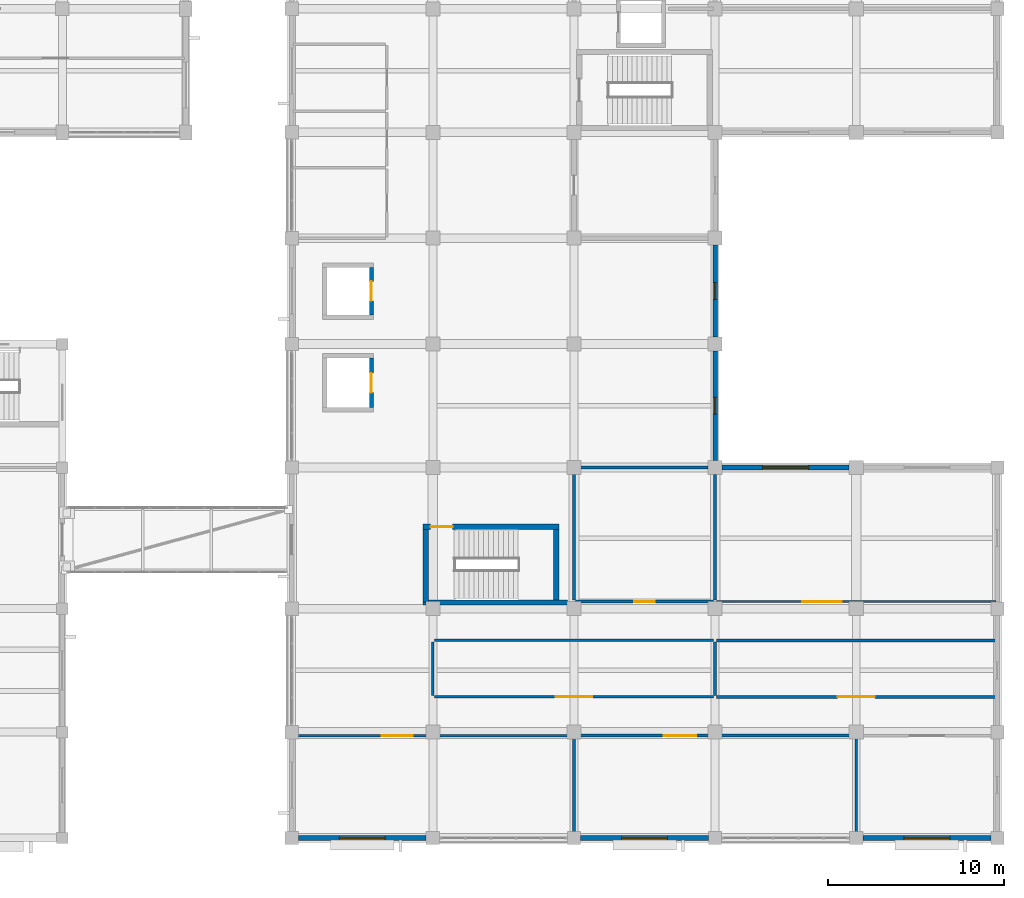
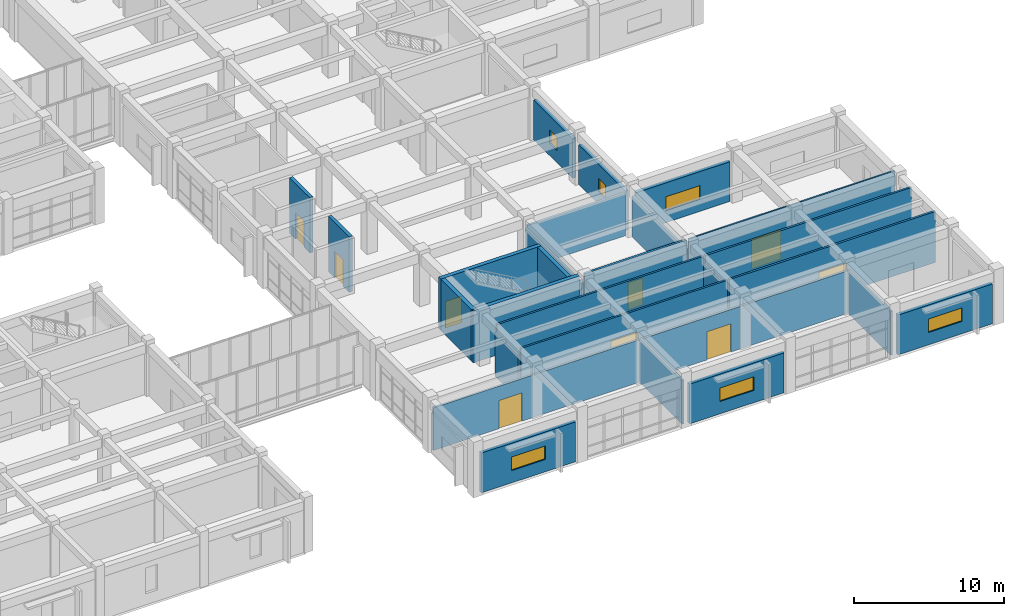
# One storey, part 54 of 70: 27 walls, 9 doors, 6 windows, 15 openings.
"""IFC4 building model written with IfcOpenShell, lengths in metres."""

from ifc_helpers import new_model, si_unit, direction, frame, frame_2d, origin, place, context, subcontext, project, spatial, rectangle, extrude, material, layer, layer_set, type_object, element, fill, save


model = new_model("IFC4")

# Units and contexts
model_context = context("Model", 3, precision=1e-05, world=origin(), true_north=direction((0.0, 1.0)))
body_context = subcontext(model_context, "Body", "Model", "MODEL_VIEW")
ifc_project = project(units=[si_unit("LENGTHUNIT", "METRE"), si_unit("AREAUNIT", "SQUARE_METRE"), si_unit("VOLUMEUNIT", "CUBIC_METRE"), si_unit("PLANEANGLEUNIT", "RADIAN"), si_unit("MASSUNIT", "GRAM", prefix="KILO")], contexts=[model_context])

# Site, building, storey
site_placement = place(None, origin())
site = spatial("IfcSite", under=ifc_project, at=site_placement, CompositionType="ELEMENT")
building_placement = place(site_placement, origin())
building = spatial("IfcBuilding", under=site, at=building_placement, Name="Naurynzar Civic Courthouse", CompositionType="ELEMENT")
storey_placement = place(building_placement, frame((0.0, 0.0, 5.39990234375)))
storey = spatial("IfcBuildingStorey", under=building, at=storey_placement, Name="L02", CompositionType="ELEMENT", Elevation=5.39990234375)

# Wall, opening, door
ifc_material_1 = material(Name="Acoustic Double-Stud Gypsum Partition")
ifc_layer_1 = layer(ifc_material_1, 0.155029296875)
ifc_layer_set_1 = layer_set([ifc_layer_1], Name="WL-ACOUSTIC-155")
wall_type_1 = type_object("IfcWallType", Name="WL-ACOUSTIC-155", PredefinedType="PARTITIONING", material=ifc_layer_set_1)
wall_1_placement = place(storey_placement, frame((130.080078125, 9.800048828125, 0.0), z_axis=(0.0, 0.0, 1.0), x_axis=(1.0, 0.0, 0.0)))
wall_1 = element("IfcWall", 1, at=wall_1_placement, inside=storey, type_object=wall_type_1, Name="V5 interior partition L02.185", PredefinedType="PARTITIONING", context=body_context, shape_type="SweptSolid", body=[
    extrude(rectangle(XDim=15.83984375, YDim=0.155029296875, at=frame_2d((7.919921875, 0.0))), origin(), (0.0, 0.0, 1.0), 3.4501953125),
])
opening_1_placement = place(wall_1_placement, frame((5.03662109375, 0.0, 0.0)))
opening_1 = element("IfcOpeningElement", 2, at=opening_1_placement, cuts=wall_1, Name="Opening D-289", PredefinedType="OPENING", context=body_context, shape_type="SweptSolid", body=[
    extrude(rectangle(XDim=1.75, YDim=2.300048828125, at=frame_2d((0.875, 1.14990234375))), frame((0.0, 0.08740234375, 0.0), z_axis=(0.0, -1.0, 0.0), x_axis=(1.0, 0.0, 0.0)), (0.0, 0.0, 1.0), 0.175048828125),
])
ifc_material_2 = material(Name="Acoustic Oak Timber Grade A", Category="wood")
door_type_1 = type_object("IfcDoorType", Name="DR-SUITE-1750x2300", OperationType="DOUBLE_DOOR_SINGLE_SWING", PredefinedType="DOOR", material=ifc_material_2)
door_1_placement = place(opening_1_placement, origin())
door_1 = element("IfcDoor", 3, at=door_1_placement, inside=storey, type_object=door_type_1, Name="Interior door D-289 (Criminal Jury Courtroom L02-S1)", OperationType="DOUBLE_DOOR_SINGLE_SWING", OverallHeight=2.300048828125, OverallWidth=1.75, PredefinedType="DOOR", context=body_context, shape_type="SweptSolid", body=[
    extrude(rectangle(XDim=1.75, YDim=2.300048828125, at=frame_2d((0.875, 1.14990234375))), frame((0.0, 0.02490234375, 0.0), z_axis=(0.0, -1.0, 0.0), x_axis=(1.0, 0.0, 0.0)), (0.0, 0.0, 1.0), 0.050048828125),
])
fill(opening_1, door_1)

ifc_material_3 = material(Name="Acoustic Double-Stud Gypsum Partition")
ifc_layer_2 = layer(ifc_material_3, 0.1650390625)
ifc_layer_set_2 = layer_set([ifc_layer_2], Name="WL-ACOUSTIC-165")
wall_type_2 = type_object("IfcWallType", Name="WL-ACOUSTIC-165", PredefinedType="PARTITIONING", material=ifc_layer_set_2)
wall_2_placement = place(storey_placement, frame((146.080078125, 9.800048828125, 0.0), z_axis=(0.0, 0.0, 1.0), x_axis=(1.0, 0.0, 0.0)))
wall_2 = element("IfcWall", 4, at=wall_2_placement, inside=storey, type_object=wall_type_2, Name="V5 interior partition L02.186", PredefinedType="PARTITIONING", context=body_context, shape_type="SweptSolid", body=[
    extrude(rectangle(XDim=15.83984375, YDim=0.1650390625, at=frame_2d((7.919921875, 0.0))), origin(), (0.0, 0.0, 1.0), 3.4501953125),
])
opening_2_placement = place(wall_2_placement, frame((5.00146484375, 0.0, 0.0)))
opening_2 = element("IfcOpeningElement", 5, at=opening_2_placement, cuts=wall_2, Name="Opening D-290", PredefinedType="OPENING", context=body_context, shape_type="SweptSolid", body=[
    extrude(rectangle(XDim=1.85009765625, YDim=2.300048828125, at=frame_2d((0.925048828125, 1.14990234375))), frame((0.0, 0.092529296875, 0.0), z_axis=(0.0, -1.0, 0.0), x_axis=(1.0, 0.0, 0.0)), (0.0, 0.0, 1.0), 0.18505859375),
])
ifc_material_4 = material(Name="Acoustic Oak Timber Grade A", Category="wood")
door_type_2 = type_object("IfcDoorType", Name="DR-SUITE-1850x2300", OperationType="DOUBLE_DOOR_SINGLE_SWING", PredefinedType="DOOR", material=ifc_material_4)
door_2_placement = place(opening_2_placement, origin())
door_2 = element("IfcDoor", 6, at=door_2_placement, inside=storey, type_object=door_type_2, Name="Interior door D-290 (Criminal Trial Courtroom L02-S2)", OperationType="DOUBLE_DOOR_SINGLE_SWING", OverallHeight=2.300048828125, OverallWidth=1.85009765625, PredefinedType="DOOR", context=body_context, shape_type="SweptSolid", body=[
    extrude(rectangle(XDim=1.85009765625, YDim=2.300048828125, at=frame_2d((0.925048828125, 1.14990234375))), frame((0.0, 0.02490234375, 0.0), z_axis=(0.0, -1.0, 0.0), x_axis=(1.0, 0.0, 0.0)), (0.0, 0.0, 1.0), 0.050048828125),
])
fill(opening_2, door_2)

# Walls
for number, where, z_axis, x_axis, name in (
    (7, (146.0, 4.080078125, 0.0), (0.0, 0.0, 1.0), (0.0, 1.0, 0.0), "V5 interior partition L02.296"),
    (8, (162.0, 4.080078125, 0.0), (0.0, 0.0, 1.0), (0.0, 1.0, 0.0), "V5 interior partition L02.305"),
):
    element("IfcWall", number, at=place(storey_placement, frame(where, z_axis=z_axis, x_axis=x_axis)), inside=storey, type_object=wall_type_2, Name=name, PredefinedType="PARTITIONING", context=body_context, shape_type="SweptSolid", body=[
        extrude(rectangle(XDim=5.639892578125, YDim=0.1650390625, at=frame_2d((2.81982421875, 0.0))), origin(), (0.0, 0.0, 1.0), 3.550048828125),
    ])

# Wall, opening, door
ifc_material_5 = material(Name="Concrete C40/50", Category="concrete")
ifc_layer_3 = layer(ifc_material_5, 0.300048828125)
ifc_layer_set_3 = layer_set([ifc_layer_3], Name="WL-CORE-300")
wall_type_3 = type_object("IfcWallType", Name="WL-CORE-300", PredefinedType="SHEAR", material=ifc_layer_set_3)
wall_3_placement = place(storey_placement, frame((145.14990234375, 21.64990234375, 0.0), z_axis=(0.0, 0.0, 1.0), x_axis=(-1.0, 0.0, 0.0)))
wall_3 = element("IfcWall", 9, at=wall_3_placement, inside=storey, type_object=wall_type_3, Name="Stair ST-V5A enclosure wall north L02", PredefinedType="SHEAR", context=body_context, shape_type="SweptSolid", body=[
    extrude(rectangle(XDim=7.699951171875, YDim=0.300048828125, at=frame_2d((3.85009765625, 0.0))), origin(), (0.0, 0.0, 1.0), 4.2001953125),
])
opening_3_placement = place(wall_3_placement, frame((6.02490234375, 0.0, 0.0)))
opening_3 = element("IfcOpeningElement", 10, at=opening_3_placement, cuts=wall_3, Name="Opening SD-061", PredefinedType="OPENING", context=body_context, shape_type="SweptSolid", body=[
    extrude(rectangle(XDim=1.25, YDim=2.14990234375, at=frame_2d((0.625, 1.074951171875))), frame((0.0, 0.159912109375, 0.0), z_axis=(0.0, -1.0, 0.0), x_axis=(1.0, 0.0, 0.0)), (0.0, 0.0, 1.0), 0.320068359375),
])
ifc_material_6 = material(Name="Powder-Coated Galvanised Steel", Category="steel")
door_type_3 = type_object("IfcDoorType", Name="DR-STAIR-1250x2150", OperationType="NOTDEFINED", PredefinedType="DOOR", material=ifc_material_6)
door_3_placement = place(opening_3_placement, origin())
door_3 = element("IfcDoor", 11, at=door_3_placement, inside=storey, type_object=door_type_3, Name="Stair ST-V5A fire door L02", OperationType="SINGLE_SWING_LEFT", OverallHeight=2.14990234375, OverallWidth=1.25, PredefinedType="DOOR", context=body_context, shape_type="SweptSolid", body=[
    extrude(rectangle(XDim=1.25, YDim=2.14990234375, at=frame_2d((0.625, 1.074951171875))), frame((0.0, 0.02490234375, 0.0), z_axis=(0.0, -1.0, 0.0), x_axis=(1.0, 0.0, 0.0)), (0.0, 0.0, 1.0), 0.050048828125),
])
fill(opening_3, door_3)

# Walls
wall_4_placement = place(storey_placement, frame((137.449951171875, 17.35009765625, 0.0), z_axis=(0.0, 0.0, 1.0), x_axis=(1.0, 0.0, 0.0)))
element("IfcWall", 12, at=wall_4_placement, inside=storey, type_object=wall_type_3, Name="Stair ST-V5A enclosure wall south L02", PredefinedType="SHEAR", context=body_context, shape_type="SweptSolid", body=[
    extrude(rectangle(XDim=8.170166015625, YDim=0.300048828125, at=frame_2d((4.0849609375, 0.0))), origin(), (0.0, 0.0, 1.0), 4.2001953125),
])
wall_5_placement = place(storey_placement, frame((137.60009765625, 21.4951171875, 0.0), z_axis=(0.0, 0.0, 1.0), x_axis=(0.0, -1.0, 0.0)))
element("IfcWall", 13, at=wall_5_placement, inside=storey, type_object=wall_type_3, Name="Stair ST-V5A enclosure wall west L02", PredefinedType="SHEAR", context=body_context, shape_type="SweptSolid", body=[
    extrude(rectangle(XDim=4.115234375, YDim=0.300048828125, at=frame_2d((2.0576171875, 0.0))), origin(), (0.0, 0.0, 1.0), 4.2001953125),
])
wall_6_placement = place(storey_placement, frame((145.0, 17.5048828125, 0.0), z_axis=(0.0, 0.0, 1.0), x_axis=(0.0, 1.0, 0.0)))
element("IfcWall", 14, at=wall_6_placement, inside=storey, type_object=wall_type_3, Name="Stair ST-V5A enclosure wall east L02", PredefinedType="SHEAR", context=body_context, shape_type="SweptSolid", body=[
    extrude(rectangle(XDim=3.990234375, YDim=0.300048828125, at=frame_2d((1.9951171875, 0.0))), origin(), (0.0, 0.0, 1.0), 4.2001953125),
])

# Wall, opening, window
ifc_material_7 = material(Name="Precast concrete C40/50", Category="concrete")
ifc_layer_4 = layer(ifc_material_7, 0.260009765625)
ifc_layer_set_4 = layer_set([ifc_layer_4], Name="WL-EXT-260")
wall_type_4 = type_object("IfcWallType", Name="WL-EXT-260", PredefinedType="SOLIDWALL", material=ifc_layer_set_4)
wall_7_placement = place(storey_placement, frame((154.0, 37.60009765625, 0.0), z_axis=(0.0, 0.0, 1.0), x_axis=(0.0, -1.0, 0.0)))
wall_7 = element("IfcWall", 15, at=wall_7_placement, inside=storey, type_object=wall_type_4, Name="V5 exterior wall notch_w L02.2.1", PredefinedType="SOLIDWALL", context=body_context, shape_type="SweptSolid", body=[
    extrude(rectangle(XDim=5.2001953125, YDim=0.260009765625, at=frame_2d((2.60009765625, 0.0))), origin(), (0.0, 0.0, 1.0), 3.22998046875),
])
opening_4_placement = place(wall_7_placement, frame((2.125, 0.0, 1.0)))
opening_4 = element("IfcOpeningElement", 16, at=opening_4_placement, cuts=wall_7, Name="Opening WN-16", PredefinedType="OPENING", context=body_context, shape_type="SweptSolid", body=[
    extrude(rectangle(XDim=0.949951171875, YDim=1.10009765625, at=frame_2d((0.47509765625, 0.550048828125))), frame((0.0, 0.139892578125, 0.0), z_axis=(0.0, -1.0, 0.0), x_axis=(1.0, 0.0, 0.0)), (0.0, 0.0, 1.0), 0.280029296875),
])
ifc_material_8 = material(Name="Tempered Laminated Low-E Glass", Category="glass")
window_type_1 = type_object("IfcWindowType", Name="WIN-SEC-950x1100", PartitioningType="SINGLE_PANEL", PredefinedType="WINDOW", material=ifc_material_8)
window_1_placement = place(opening_4_placement, origin())
window_1 = element("IfcWindow", 17, at=window_1_placement, inside=storey, type_object=window_type_1, Name="V5 window 272 L02", OverallHeight=1.10009765625, OverallWidth=0.949951171875, PartitioningType="SINGLE_PANEL", PredefinedType="WINDOW", context=body_context, shape_type="SweptSolid", body=[
    extrude(rectangle(XDim=0.949951171875, YDim=1.10009765625, at=frame_2d((0.47509765625, 0.550048828125))), frame((0.0, 0.030029296875, 0.0), z_axis=(0.0, -1.0, 0.0), x_axis=(1.0, 0.0, 0.0)), (0.0, 0.0, 1.0), 0.06005859375),
])
fill(opening_4, window_1)

wall_8_placement = place(storey_placement, frame((154.0, 31.60009765625, 0.0), z_axis=(0.0, 0.0, 1.0), x_axis=(0.0, -1.0, 0.0)))
wall_8 = element("IfcWall", 18, at=wall_8_placement, inside=storey, type_object=wall_type_4, Name="V5 exterior wall notch_w L02.3.1", PredefinedType="SOLIDWALL", context=body_context, shape_type="SweptSolid", body=[
    extrude(rectangle(XDim=6.2001953125, YDim=0.260009765625, at=frame_2d((3.10009765625, 0.0))), origin(), (0.0, 0.0, 1.0), 3.22998046875),
])
opening_5_placement = place(wall_8_placement, frame((2.625, 0.0, 1.0)))
opening_5 = element("IfcOpeningElement", 19, at=opening_5_placement, cuts=wall_8, Name="Opening WN-16", PredefinedType="OPENING", context=body_context, shape_type="SweptSolid", body=[
    extrude(rectangle(XDim=0.949951171875, YDim=1.10009765625, at=frame_2d((0.47509765625, 0.550048828125))), frame((0.0, 0.139892578125, 0.0), z_axis=(0.0, -1.0, 0.0), x_axis=(1.0, 0.0, 0.0)), (0.0, 0.0, 1.0), 0.280029296875),
])
window_2_placement = place(opening_5_placement, origin())
window_2 = element("IfcWindow", 20, at=window_2_placement, inside=storey, type_object=window_type_1, Name="V5 window 273 L02", OverallHeight=1.10009765625, OverallWidth=0.949951171875, PartitioningType="SINGLE_PANEL", PredefinedType="WINDOW", context=body_context, shape_type="SweptSolid", body=[
    extrude(rectangle(XDim=0.949951171875, YDim=1.10009765625, at=frame_2d((0.47509765625, 0.550048828125))), frame((0.0, 0.030029296875, 0.0), z_axis=(0.0, -1.0, 0.0), x_axis=(1.0, 0.0, 0.0)), (0.0, 0.0, 1.0), 0.06005859375),
])
fill(opening_5, window_2)

wall_9_placement = place(storey_placement, frame((154.39990234375, 25.0, 0.0), z_axis=(0.0, 0.0, 1.0), x_axis=(1.0, 0.0, 0.0)))
wall_9 = element("IfcWall", 21, at=wall_9_placement, inside=storey, type_object=wall_type_4, Name="V5 exterior wall notch_s L02.1.1", PredefinedType="SOLIDWALL", context=body_context, shape_type="SweptSolid", body=[
    extrude(rectangle(XDim=7.2001953125, YDim=0.260009765625, at=frame_2d((3.60009765625, 0.0))), origin(), (0.0, 0.0, 1.0), 3.22998046875),
])
opening_6_placement = place(wall_9_placement, frame((2.300048828125, 0.0, 1.0)))
opening_6 = element("IfcOpeningElement", 22, at=opening_6_placement, cuts=wall_9, Name="Opening WN-17", PredefinedType="OPENING", context=body_context, shape_type="SweptSolid", body=[
    extrude(rectangle(XDim=2.60009765625, YDim=1.10009765625, at=frame_2d((1.300048828125, 0.550048828125))), frame((0.0, 0.139892578125, 0.0), z_axis=(0.0, -1.0, 0.0), x_axis=(1.0, 0.0, 0.0)), (0.0, 0.0, 1.0), 0.280029296875),
])
ifc_material_9 = material(Name="Tempered Laminated Low-E Glass", Category="glass")
window_type_2 = type_object("IfcWindowType", Name="WIN-CLER-2600x1100", PartitioningType="DOUBLE_PANEL_VERTICAL", PredefinedType="WINDOW", material=ifc_material_9)
window_3_placement = place(opening_6_placement, origin())
window_3 = element("IfcWindow", 23, at=window_3_placement, inside=storey, type_object=window_type_2, Name="V5 window 274 L02", OverallHeight=1.10009765625, OverallWidth=2.60009765625, PartitioningType="SINGLE_PANEL", PredefinedType="WINDOW", context=body_context, shape_type="SweptSolid", body=[
    extrude(rectangle(XDim=2.60009765625, YDim=1.10009765625, at=frame_2d((1.300048828125, 0.550048828125))), frame((0.0, 0.030029296875, 0.0), z_axis=(0.0, -1.0, 0.0), x_axis=(1.0, 0.0, 0.0)), (0.0, 0.0, 1.0), 0.06005859375),
])
fill(opening_6, window_3)

wall_10_placement = place(storey_placement, frame((169.625, 4.0, 0.0), z_axis=(0.0, 0.0, 1.0), x_axis=(-1.0, 0.0, 0.0)))
wall_10 = element("IfcWall", 24, at=wall_10_placement, inside=storey, type_object=wall_type_4, Name="V5 exterior wall south L02.1.1", PredefinedType="SOLIDWALL", context=body_context, shape_type="SweptSolid", body=[
    extrude(rectangle(XDim=7.25, YDim=0.260009765625, at=frame_2d((3.625, 0.0))), origin(), (0.0, 0.0, 1.0), 3.22998046875),
])
opening_7_placement = place(wall_10_placement, frame((2.324951171875, 0.0, 1.0)))
opening_7 = element("IfcOpeningElement", 25, at=opening_7_placement, cuts=wall_10, Name="Opening WN-17", PredefinedType="OPENING", context=body_context, shape_type="SweptSolid", body=[
    extrude(rectangle(XDim=2.60009765625, YDim=1.10009765625, at=frame_2d((1.300048828125, 0.550048828125))), frame((0.0, 0.139892578125, 0.0), z_axis=(0.0, -1.0, 0.0), x_axis=(1.0, 0.0, 0.0)), (0.0, 0.0, 1.0), 0.280029296875),
])
window_4_placement = place(opening_7_placement, origin())
window_4 = element("IfcWindow", 26, at=window_4_placement, inside=storey, type_object=window_type_2, Name="V5 window 279 L02", OverallHeight=1.10009765625, OverallWidth=2.60009765625, PartitioningType="SINGLE_PANEL", PredefinedType="WINDOW", context=body_context, shape_type="SweptSolid", body=[
    extrude(rectangle(XDim=2.60009765625, YDim=1.10009765625, at=frame_2d((1.300048828125, 0.550048828125))), frame((0.0, 0.030029296875, 0.0), z_axis=(0.0, -1.0, 0.0), x_axis=(1.0, 0.0, 0.0)), (0.0, 0.0, 1.0), 0.06005859375),
])
fill(opening_7, window_4)

wall_11_placement = place(storey_placement, frame((153.625, 4.0, 0.0), z_axis=(0.0, 0.0, 1.0), x_axis=(-1.0, 0.0, 0.0)))
wall_11 = element("IfcWall", 27, at=wall_11_placement, inside=storey, type_object=wall_type_4, Name="V5 exterior wall south L02.3.1", PredefinedType="SOLIDWALL", context=body_context, shape_type="SweptSolid", body=[
    extrude(rectangle(XDim=7.25, YDim=0.260009765625, at=frame_2d((3.625, 0.0))), origin(), (0.0, 0.0, 1.0), 3.22998046875),
])
opening_8_placement = place(wall_11_placement, frame((2.324951171875, 0.0, 1.0)))
opening_8 = element("IfcOpeningElement", 28, at=opening_8_placement, cuts=wall_11, Name="Opening WN-17", PredefinedType="OPENING", context=body_context, shape_type="SweptSolid", body=[
    extrude(rectangle(XDim=2.60009765625, YDim=1.10009765625, at=frame_2d((1.300048828125, 0.550048828125))), frame((0.0, 0.139892578125, 0.0), z_axis=(0.0, -1.0, 0.0), x_axis=(1.0, 0.0, 0.0)), (0.0, 0.0, 1.0), 0.280029296875),
])
window_5_placement = place(opening_8_placement, origin())
window_5 = element("IfcWindow", 29, at=window_5_placement, inside=storey, type_object=window_type_2, Name="V5 window 280 L02", OverallHeight=1.10009765625, OverallWidth=2.60009765625, PartitioningType="SINGLE_PANEL", PredefinedType="WINDOW", context=body_context, shape_type="SweptSolid", body=[
    extrude(rectangle(XDim=2.60009765625, YDim=1.10009765625, at=frame_2d((1.300048828125, 0.550048828125))), frame((0.0, 0.030029296875, 0.0), z_axis=(0.0, -1.0, 0.0), x_axis=(1.0, 0.0, 0.0)), (0.0, 0.0, 1.0), 0.06005859375),
])
fill(opening_8, window_5)

wall_12_placement = place(storey_placement, frame((137.625, 4.0, 0.0), z_axis=(0.0, 0.0, 1.0), x_axis=(-1.0, 0.0, 0.0)))
wall_12 = element("IfcWall", 30, at=wall_12_placement, inside=storey, type_object=wall_type_4, Name="V5 exterior wall south L02.5.1", PredefinedType="SOLIDWALL", context=body_context, shape_type="SweptSolid", body=[
    extrude(rectangle(XDim=7.25, YDim=0.260009765625, at=frame_2d((3.625, 0.0))), origin(), (0.0, 0.0, 1.0), 3.22998046875),
])
opening_9_placement = place(wall_12_placement, frame((2.324951171875, 0.0, 1.0)))
opening_9 = element("IfcOpeningElement", 31, at=opening_9_placement, cuts=wall_12, Name="Opening WN-17", PredefinedType="OPENING", context=body_context, shape_type="SweptSolid", body=[
    extrude(rectangle(XDim=2.60009765625, YDim=1.10009765625, at=frame_2d((1.300048828125, 0.550048828125))), frame((0.0, 0.139892578125, 0.0), z_axis=(0.0, -1.0, 0.0), x_axis=(1.0, 0.0, 0.0)), (0.0, 0.0, 1.0), 0.280029296875),
])
window_6_placement = place(opening_9_placement, origin())
window_6 = element("IfcWindow", 32, at=window_6_placement, inside=storey, type_object=window_type_2, Name="V5 window 281 L02", OverallHeight=1.10009765625, OverallWidth=2.60009765625, PartitioningType="SINGLE_PANEL", PredefinedType="WINDOW", context=body_context, shape_type="SweptSolid", body=[
    extrude(rectangle(XDim=2.60009765625, YDim=1.10009765625, at=frame_2d((1.300048828125, 0.550048828125))), frame((0.0, 0.030029296875, 0.0), z_axis=(0.0, -1.0, 0.0), x_axis=(1.0, 0.0, 0.0)), (0.0, 0.0, 1.0), 0.06005859375),
])
fill(opening_9, window_6)

# Wall, opening, door
ifc_material_10 = material(Name="Insulated Metal-Stud Gypsum Partition")
ifc_layer_5 = layer(ifc_material_10, 0.159912109375)
ifc_layer_set_5 = layer_set([ifc_layer_5], Name="WL-PART-CHAMB-160")
wall_type_5 = type_object("IfcWallType", Name="WL-PART-CHAMB-160", PredefinedType="PARTITIONING", material=ifc_layer_set_5)
wall_13_placement = place(storey_placement, frame((154.080078125, 12.0, 0.0), z_axis=(0.0, 0.0, 1.0), x_axis=(1.0, 0.0, 0.0)))
wall_13 = element("IfcWall", 33, at=wall_13_placement, inside=storey, type_object=wall_type_5, Name="V5 interior partition L02.194", PredefinedType="PARTITIONING", context=body_context, shape_type="SweptSolid", body=[
    extrude(rectangle(XDim=15.83984375, YDim=0.159912109375, at=frame_2d((7.919921875, 0.0))), origin(), (0.0, 0.0, 1.0), 4.14013671875),
])
opening_10_placement = place(wall_13_placement, frame((6.8701171875, 0.0, 0.0)))
opening_10 = element("IfcOpeningElement", 34, at=opening_10_placement, cuts=wall_13, Name="Opening D-293", PredefinedType="OPENING", context=body_context, shape_type="SweptSolid", body=[
    extrude(rectangle(XDim=2.10009765625, YDim=2.35009765625, at=frame_2d((1.050048828125, 1.175048828125))), frame((0.0, 0.08984375, 0.0), z_axis=(0.0, -1.0, 0.0), x_axis=(1.0, 0.0, 0.0)), (0.0, 0.0, 1.0), 0.179931640625),
])
ifc_material_11 = material(Name="Acoustic Oak Timber Grade A", Category="wood")
door_type_4 = type_object("IfcDoorType", Name="DR-SUITE-2100x2350", OperationType="DOUBLE_DOOR_SINGLE_SWING", PredefinedType="DOOR", material=ifc_material_11)
door_4_placement = place(opening_10_placement, origin())
door_4 = element("IfcDoor", 35, at=door_4_placement, inside=storey, type_object=door_type_4, Name="Interior door D-293 (Prosecutors' Preparation Room L02-SE)", OperationType="DOUBLE_DOOR_SINGLE_SWING", OverallHeight=2.35009765625, OverallWidth=2.10009765625, PredefinedType="DOOR", context=body_context, shape_type="SweptSolid", body=[
    extrude(rectangle(XDim=2.10009765625, YDim=2.35009765625, at=frame_2d((1.050048828125, 1.175048828125))), frame((0.0, 0.02490234375, 0.0), z_axis=(0.0, -1.0, 0.0), x_axis=(1.0, 0.0, 0.0)), (0.0, 0.0, 1.0), 0.050048828125),
])
fill(opening_10, door_4)

# Walls
wall_14_placement = place(storey_placement, frame((154.080078125, 15.199951171875, 0.0), z_axis=(0.0, 0.0, 1.0), x_axis=(1.0, 0.0, 0.0)))
element("IfcWall", 36, at=wall_14_placement, inside=storey, type_object=wall_type_5, Name="V5 interior partition L02.196", PredefinedType="PARTITIONING", context=body_context, shape_type="SweptSolid", body=[
    extrude(rectangle(XDim=15.83984375, YDim=0.159912109375, at=frame_2d((7.919921875, 0.0))), origin(), (0.0, 0.0, 1.0), 4.14013671875),
])
wall_15_placement = place(storey_placement, frame((154.0, 12.080078125, 0.0), z_axis=(0.0, 0.0, 1.0), x_axis=(0.0, 1.0, 0.0)))
element("IfcWall", 37, at=wall_15_placement, inside=storey, type_object=wall_type_5, Name="V5 interior partition L02.301", PredefinedType="PARTITIONING", context=body_context, shape_type="SweptSolid", body=[
    extrude(rectangle(XDim=3.0400390625, YDim=0.159912109375, at=frame_2d((1.52001953125, 0.0))), origin(), (0.0, 0.0, 1.0), 3.550048828125),
])

# Wall, opening, door
ifc_material_12 = material(Name="Fire-Rated Corridor Gypsum Partition")
ifc_layer_6 = layer(ifc_material_12, 0.14990234375)
ifc_layer_set_6 = layer_set([ifc_layer_6], Name="WL-PART-CORR-150")
wall_type_6 = type_object("IfcWallType", Name="WL-PART-CORR-150", PredefinedType="PARTITIONING", material=ifc_layer_set_6)
wall_16_placement = place(storey_placement, frame((138.080078125, 12.0, 0.0), z_axis=(0.0, 0.0, 1.0), x_axis=(1.0, 0.0, 0.0)))
wall_16 = element("IfcWall", 38, at=wall_16_placement, inside=storey, type_object=wall_type_6, Name="V5 interior partition L02.193", PredefinedType="PARTITIONING", context=body_context, shape_type="SweptSolid", body=[
    extrude(rectangle(XDim=15.83984375, YDim=0.14990234375, at=frame_2d((7.919921875, 0.0))), origin(), (0.0, 0.0, 1.0), 4.14013671875),
])
opening_11_placement = place(wall_16_placement, frame((6.89501953125, 0.0, 0.0)))
opening_11 = element("IfcOpeningElement", 39, at=opening_11_placement, cuts=wall_16, Name="Opening D-292", PredefinedType="OPENING", context=body_context, shape_type="SweptSolid", body=[
    extrude(rectangle(XDim=2.050048828125, YDim=2.35009765625, at=frame_2d((1.02490234375, 1.175048828125))), frame((0.0, 0.0849609375, 0.0), z_axis=(0.0, -1.0, 0.0), x_axis=(1.0, 0.0, 0.0)), (0.0, 0.0, 1.0), 0.169921875),
])
ifc_material_13 = material(Name="Acoustic Oak Timber Grade A", Category="wood")
door_type_5 = type_object("IfcDoorType", Name="DR-SUITE-2050x2350", OperationType="DOUBLE_DOOR_SINGLE_SWING", PredefinedType="DOOR", material=ifc_material_13)
door_5_placement = place(opening_11_placement, origin())
door_5 = element("IfcDoor", 40, at=door_5_placement, inside=storey, type_object=door_type_5, Name="Interior door D-292 (Victim and Witness Suite L02-SW)", OperationType="DOUBLE_DOOR_SINGLE_SWING", OverallHeight=2.35009765625, OverallWidth=2.050048828125, PredefinedType="DOOR", context=body_context, shape_type="SweptSolid", body=[
    extrude(rectangle(XDim=2.050048828125, YDim=2.35009765625, at=frame_2d((1.02490234375, 1.175048828125))), frame((0.0, 0.02490234375, 0.0), z_axis=(0.0, -1.0, 0.0), x_axis=(1.0, 0.0, 0.0)), (0.0, 0.0, 1.0), 0.050048828125),
])
fill(opening_11, door_5)

# Walls
wall_17_placement = place(storey_placement, frame((138.080078125, 15.199951171875, 0.0), z_axis=(0.0, 0.0, 1.0), x_axis=(1.0, 0.0, 0.0)))
element("IfcWall", 41, at=wall_17_placement, inside=storey, type_object=wall_type_6, Name="V5 interior partition L02.195", PredefinedType="PARTITIONING", context=body_context, shape_type="SweptSolid", body=[
    extrude(rectangle(XDim=15.83984375, YDim=0.14990234375, at=frame_2d((7.919921875, 0.0))), origin(), (0.0, 0.0, 1.0), 4.14013671875),
])
wall_18_placement = place(storey_placement, frame((138.0, 12.080078125, 0.0), z_axis=(0.0, 0.0, 1.0), x_axis=(0.0, 1.0, 0.0)))
element("IfcWall", 42, at=wall_18_placement, inside=storey, type_object=wall_type_6, Name="V5 interior partition L02.295", PredefinedType="PARTITIONING", context=body_context, shape_type="SweptSolid", body=[
    extrude(rectangle(XDim=3.0400390625, YDim=0.14990234375, at=frame_2d((1.52001953125, 0.0))), origin(), (0.0, 0.0, 1.0), 3.550048828125),
])

# Wall, opening, door
ifc_material_14 = material(Name="Acoustic Double-Stud Gypsum Partition")
ifc_layer_7 = layer(ifc_material_14, 0.179931640625)
ifc_layer_set_7 = layer_set([ifc_layer_7], Name="WL-PART-JURY-180")
wall_type_7 = type_object("IfcWallType", Name="WL-PART-JURY-180", PredefinedType="PARTITIONING", material=ifc_layer_set_7)
wall_19_placement = place(storey_placement, frame((146.080078125, 17.39990234375, 0.0), z_axis=(0.0, 0.0, 1.0), x_axis=(1.0, 0.0, 0.0)))
wall_19 = element("IfcWall", 43, at=wall_19_placement, inside=storey, type_object=wall_type_7, Name="V5 interior partition L02.197", PredefinedType="PARTITIONING", context=body_context, shape_type="SweptSolid", body=[
    extrude(rectangle(XDim=7.83984375, YDim=0.179931640625, at=frame_2d((3.919921875, 0.0))), origin(), (0.0, 0.0, 1.0), 4.14013671875),
])
opening_12_placement = place(wall_19_placement, frame((3.344970703125, 0.0, 0.0)))
opening_12 = element("IfcOpeningElement", 44, at=opening_12_placement, cuts=wall_19, Name="Opening D-294", PredefinedType="OPENING", context=body_context, shape_type="SweptSolid", body=[
    extrude(rectangle(XDim=1.14990234375, YDim=2.199951171875, at=frame_2d((0.574951171875, 1.10009765625))), frame((0.0, 0.099853515625, 0.0), z_axis=(0.0, -1.0, 0.0), x_axis=(1.0, 0.0, 0.0)), (0.0, 0.0, 1.0), 0.199951171875),
])
ifc_material_15 = material(Name="Acoustic Oak Timber Grade A", Category="wood")
door_type_6 = type_object("IfcDoorType", Name="DR-JURY-1150x2200", OperationType="NOTDEFINED", PredefinedType="DOOR", material=ifc_material_15)
door_6_placement = place(opening_12_placement, origin())
door_6 = element("IfcDoor", 45, at=door_6_placement, inside=storey, type_object=door_type_6, Name="Interior door D-294 (Jury Room L02-S)", OperationType="SINGLE_SWING_RIGHT", OverallHeight=2.199951171875, OverallWidth=1.14990234375, PredefinedType="DOOR", context=body_context, shape_type="SweptSolid", body=[
    extrude(rectangle(XDim=1.14990234375, YDim=2.199951171875, at=frame_2d((0.574951171875, 1.10009765625))), frame((0.0, 0.02490234375, 0.0), z_axis=(0.0, -1.0, 0.0), x_axis=(1.0, 0.0, 0.0)), (0.0, 0.0, 1.0), 0.050048828125),
])
fill(opening_12, door_6)

# Walls
wall_20_placement = place(storey_placement, frame((146.080078125, 25.0, 0.0), z_axis=(0.0, 0.0, 1.0), x_axis=(1.0, 0.0, 0.0)))
element("IfcWall", 46, at=wall_20_placement, inside=storey, type_object=wall_type_7, Name="V5 interior partition L02.204", PredefinedType="PARTITIONING", context=body_context, shape_type="SweptSolid", body=[
    extrude(rectangle(XDim=7.52001953125, YDim=0.179931640625, at=frame_2d((3.760009765625, 0.0))), origin(), (0.0, 0.0, 1.0), 3.4501953125),
])
wall_21_placement = place(storey_placement, frame((146.0, 17.47998046875, 0.0), z_axis=(0.0, 0.0, 1.0), x_axis=(0.0, 1.0, 0.0)))
element("IfcWall", 47, at=wall_21_placement, inside=storey, type_object=wall_type_7, Name="V5 interior partition L02.297", PredefinedType="PARTITIONING", context=body_context, shape_type="SweptSolid", body=[
    extrude(rectangle(XDim=7.43994140625, YDim=0.179931640625, at=frame_2d((3.719970703125, 0.0))), origin(), (0.0, 0.0, 1.0), 3.300048828125),
])
wall_22_placement = place(storey_placement, frame((154.0, 17.47998046875, 0.0), z_axis=(0.0, 0.0, 1.0), x_axis=(0.0, 1.0, 0.0)))
element("IfcWall", 48, at=wall_22_placement, inside=storey, type_object=wall_type_7, Name="V5 interior partition L02.302", PredefinedType="PARTITIONING", context=body_context, shape_type="SweptSolid", body=[
    extrude(rectangle(XDim=7.1201171875, YDim=0.179931640625, at=frame_2d((3.56005859375, 0.0))), origin(), (0.0, 0.0, 1.0), 3.300048828125),
])

# Wall, opening, door
ifc_material_16 = material(Name="Metal-Stud Gypsum Partition")
ifc_layer_8 = layer(ifc_material_16, 0.125)
ifc_layer_set_8 = layer_set([ifc_layer_8], Name="WL-PART-STD-125")
wall_type_8 = type_object("IfcWallType", Name="WL-PART-STD-125", PredefinedType="PARTITIONING", material=ifc_layer_set_8)
wall_23_placement = place(storey_placement, frame((154.080078125, 17.39990234375, 0.0), z_axis=(0.0, 0.0, 1.0), x_axis=(1.0, 0.0, 0.0)))
wall_23 = element("IfcWall", 49, at=wall_23_placement, inside=storey, type_object=wall_type_8, Name="V5 interior partition L02.198", PredefinedType="PARTITIONING", context=body_context, shape_type="SweptSolid", body=[
    extrude(rectangle(XDim=15.83984375, YDim=0.125, at=frame_2d((7.919921875, 0.0))), origin(), (0.0, 0.0, 1.0), 4.14013671875),
])
opening_13_placement = place(wall_23_placement, frame((4.861572265625, 0.0, 0.0)))
opening_13 = element("IfcOpeningElement", 50, at=opening_13_placement, cuts=wall_23, Name="Opening D-295", PredefinedType="OPENING", context=body_context, shape_type="SweptSolid", body=[
    extrude(rectangle(XDim=2.25, YDim=2.39990234375, at=frame_2d((1.125, 1.199951171875))), frame((0.0, 0.072509765625, 0.0), z_axis=(0.0, -1.0, 0.0), x_axis=(1.0, 0.0, 0.0)), (0.0, 0.0, 1.0), 0.14501953125),
])
ifc_material_17 = material(Name="Acoustic Oak Timber Grade A", Category="wood")
door_type_7 = type_object("IfcDoorType", Name="DR-SUITE-2250x2400", OperationType="DOUBLE_DOOR_SINGLE_SWING", PredefinedType="DOOR", material=ifc_material_17)
door_7_placement = place(opening_13_placement, origin())
door_7 = element("IfcDoor", 51, at=door_7_placement, inside=storey, type_object=door_type_7, Name="Interior door D-295 (Witness Protection Room L02)", OperationType="DOUBLE_DOOR_SINGLE_SWING", OverallHeight=2.39990234375, OverallWidth=2.25, PredefinedType="DOOR", context=body_context, shape_type="SweptSolid", body=[
    extrude(rectangle(XDim=2.25, YDim=2.39990234375, at=frame_2d((1.125, 1.199951171875))), frame((0.0, 0.02490234375, 0.0), z_axis=(0.0, -1.0, 0.0), x_axis=(1.0, 0.0, 0.0)), (0.0, 0.0, 1.0), 0.050048828125),
])
fill(opening_13, door_7)

ifc_material_18 = material(Name="Concrete C40/50", Category="concrete")
ifc_layer_9 = layer(ifc_material_18, 0.25)
ifc_layer_set_9 = layer_set([ifc_layer_9], Name="WL-SHAFT-250")
wall_type_9 = type_object("IfcWallType", Name="WL-SHAFT-250", PredefinedType="SHEAR", material=ifc_layer_set_9)
wall_24_placement = place(storey_placement, frame((134.52490234375, 33.655029296875, 0.0), z_axis=(0.0, 0.0, 1.0), x_axis=(0.0, 1.0, 0.0)))
wall_24 = element("IfcWall", 52, at=wall_24_placement, inside=storey, type_object=wall_type_9, Name="Lift LP-05 shaft wall east L02", PredefinedType="SHEAR", context=body_context, shape_type="SweptSolid", body=[
    extrude(rectangle(XDim=2.68994140625, YDim=0.25, at=frame_2d((1.344970703125, 0.0))), origin(), (0.0, 0.0, 1.0), 4.5),
])
opening_14_placement = place(wall_24_placement, frame((0.794921875, 0.0, 0.0)))
opening_14 = element("IfcOpeningElement", 53, at=opening_14_placement, cuts=wall_24, Name="Opening LD-070", PredefinedType="OPENING", context=body_context, shape_type="SweptSolid", body=[
    extrude(rectangle(XDim=1.10009765625, YDim=2.14990234375, at=frame_2d((0.550048828125, 1.074951171875))), frame((0.0, 0.135009765625, 0.0), z_axis=(0.0, -1.0, 0.0), x_axis=(1.0, 0.0, 0.0)), (0.0, 0.0, 1.0), 0.27001953125),
])
ifc_material_19 = material(Name="Brushed Stainless Steel 304", Category="steel")
door_type_8 = type_object("IfcDoorType", Name="DR-LIFT-SLIDE-1100x2150", OperationType="DOUBLE_DOOR_SLIDING", PredefinedType="DOOR", material=ifc_material_19)
door_8_placement = place(opening_14_placement, origin())
door_8 = element("IfcDoor", 54, at=door_8_placement, inside=storey, type_object=door_type_8, Name="Lift LP-05 sliding landing door L02", OperationType="DOUBLE_DOOR_SLIDING", OverallHeight=2.14990234375, OverallWidth=1.10009765625, PredefinedType="DOOR", context=body_context, shape_type="SweptSolid", body=[
    extrude(rectangle(XDim=1.10009765625, YDim=2.14990234375, at=frame_2d((0.550048828125, 1.074951171875))), frame((0.0, 0.02490234375, 0.0), z_axis=(0.0, -1.0, 0.0), x_axis=(1.0, 0.0, 0.0)), (0.0, 0.0, 1.0), 0.050048828125),
])
fill(opening_14, door_8)

wall_25_placement = place(storey_placement, frame((134.52490234375, 28.405029296875, 0.0), z_axis=(0.0, 0.0, 1.0), x_axis=(0.0, 1.0, 0.0)))
wall_25 = element("IfcWall", 55, at=wall_25_placement, inside=storey, type_object=wall_type_9, Name="Lift LP-06 shaft wall east L02", PredefinedType="SHEAR", context=body_context, shape_type="SweptSolid", body=[
    extrude(rectangle(XDim=2.7900390625, YDim=0.25, at=frame_2d((1.39501953125, 0.0))), origin(), (0.0, 0.0, 1.0), 4.5),
])
opening_15_placement = place(wall_25_placement, frame((0.844970703125, 0.0, 0.0)))
opening_15 = element("IfcOpeningElement", 56, at=opening_15_placement, cuts=wall_25, Name="Opening LD-079", PredefinedType="OPENING", context=body_context, shape_type="SweptSolid", body=[
    extrude(rectangle(XDim=1.10009765625, YDim=2.14990234375, at=frame_2d((0.550048828125, 1.074951171875))), frame((0.0, 0.135009765625, 0.0), z_axis=(0.0, -1.0, 0.0), x_axis=(1.0, 0.0, 0.0)), (0.0, 0.0, 1.0), 0.27001953125),
])
door_9_placement = place(opening_15_placement, origin())
door_9 = element("IfcDoor", 57, at=door_9_placement, inside=storey, type_object=door_type_8, Name="Lift LP-06 sliding landing door L02", OperationType="DOUBLE_DOOR_SLIDING", OverallHeight=2.14990234375, OverallWidth=1.10009765625, PredefinedType="DOOR", context=body_context, shape_type="SweptSolid", body=[
    extrude(rectangle(XDim=1.10009765625, YDim=2.14990234375, at=frame_2d((0.550048828125, 1.074951171875))), frame((0.0, 0.02490234375, 0.0), z_axis=(0.0, -1.0, 0.0), x_axis=(1.0, 0.0, 0.0)), (0.0, 0.0, 1.0), 0.050048828125),
])
fill(opening_15, door_9)

save(model, "model.ifc")
